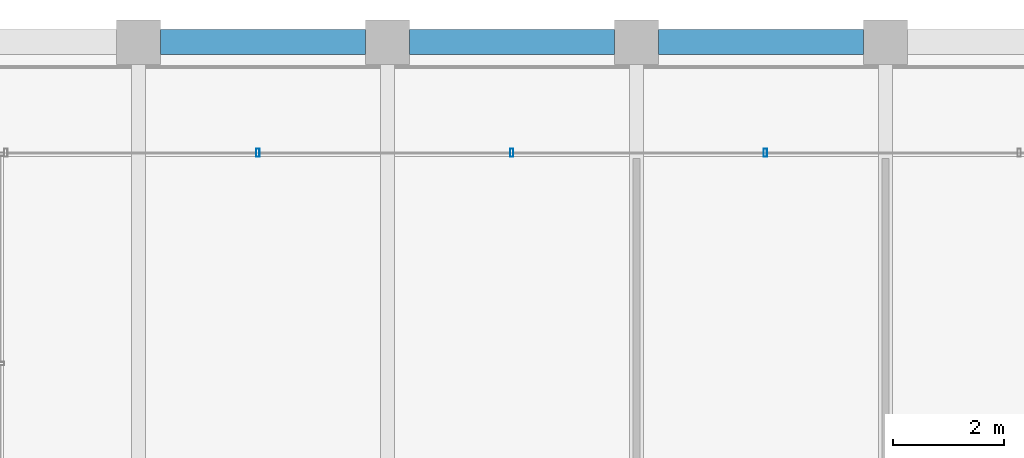
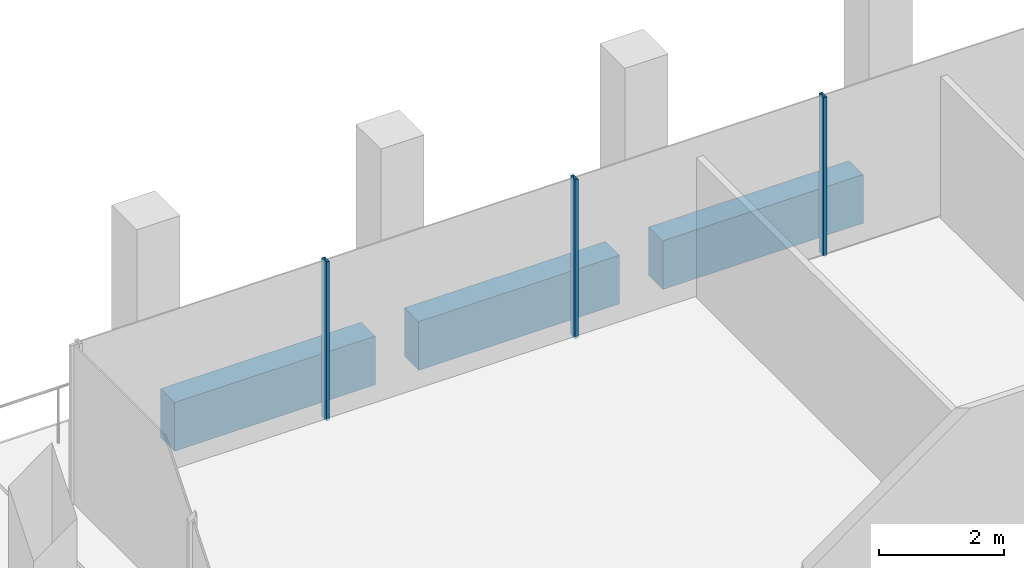
# One storey, part 23 of 40: 3 beams, 3 members, 1 element without a shape of its own.
"""IFC4 building model written with IfcOpenShell, lengths in metres."""

from ifc_helpers import new_model, si_unit, direction, frame, origin, origin_2d, place, context, subcontext, project, spatial, rectangle, hollow_rectangle, extrude, material, material_profile, profile_set, type_object, element, aggregate, save


model = new_model("IFC4")

# Units and contexts
model_context = context("Model", 3, precision=1e-05, world=origin(), true_north=direction((0.0, 1.0)))
body_context = subcontext(model_context, "Body", "Model", "MODEL_VIEW")
ifc_project = project(units=[si_unit("LENGTHUNIT", "METRE"), si_unit("AREAUNIT", "SQUARE_METRE"), si_unit("VOLUMEUNIT", "CUBIC_METRE"), si_unit("PLANEANGLEUNIT", "RADIAN"), si_unit("MASSUNIT", "GRAM", prefix="KILO")], contexts=[model_context])

# Site, building, storey
site_placement = place(None, origin())
site = spatial("IfcSite", under=ifc_project, at=site_placement, CompositionType="ELEMENT")
building_placement = place(site_placement, origin())
building = spatial("IfcBuilding", under=site, at=building_placement, Name="Altepetl Exchange Towers", CompositionType="ELEMENT")
storey_placement = place(building_placement, frame((0.0, 0.0, 199.199951171875)))
storey = spatial("IfcBuildingStorey", under=building, at=storey_placement, Name="L50", CompositionType="ELEMENT", Elevation=199.199951171875)

# Curtain wall, members
ifc_material_1 = material(Name="Aluminium 6063-T6 glazing", Category="aluminium")
curtain_wall_type = type_object("IfcCurtainWallType", Name="Loggia glazing system", PredefinedType="NOTDEFINED", material=ifc_material_1)
curtain_wall_placement = place(storey_placement, origin())
curtain_wall = element("IfcCurtainWall", 1, at=curtain_wall_placement, inside=storey, type_object=curtain_wall_type, Name="CW1 run", PredefinedType="NOTDEFINED")
ifc_material_2 = material(Name="Aluminium 6063-T6", Category="aluminium")
ifc_material_profile_1 = material_profile(ifc_material_2, hollow_rectangle(XDim=0.06005859375, YDim=0.14990234375, WallThickness=0.0029296875, at=origin_2d()), Name="Mullion 60x150 aluminium")
ifc_profile_set_1 = profile_set([ifc_material_profile_1], Name="Aluminium 6063-T6")
member_type = type_object("IfcMemberType", Name="Mullion 60x150 aluminium", PredefinedType="MULLION", material=ifc_profile_set_1)
member_1_placement = place(storey_placement, frame((56.330078125, 70.0, 0.0), z_axis=(0.0, 0.0, 1.0), x_axis=(-1.0, 0.0, 0.0)))
member_1 = element("IfcMember", 2, at=member_1_placement, type_object=member_type, Name="MU1 mullion", PredefinedType="MULLION", context=body_context, shape_type="SweptSolid", body=[
    extrude(hollow_rectangle(XDim=0.06005859375, YDim=0.14990234375, WallThickness=0.0029296875, at=origin_2d()), origin(), (0.0, 0.0, 1.0), 3.10009765625),
])
member_2_placement = place(storey_placement, frame((51.7451171875, 70.0, 0.0), z_axis=(0.0, 0.0, 1.0), x_axis=(-1.0, 0.0, 0.0)))
member_2 = element("IfcMember", 3, at=member_2_placement, type_object=member_type, Name="MU1 mullion", PredefinedType="MULLION", context=body_context, shape_type="SweptSolid", body=[
    extrude(hollow_rectangle(XDim=0.06005859375, YDim=0.14990234375, WallThickness=0.0029296875, at=origin_2d()), origin(), (0.0, 0.0, 1.0), 3.10009765625),
])
member_3_placement = place(storey_placement, frame((47.159912109375, 70.0, 0.0), z_axis=(0.0, 0.0, 1.0), x_axis=(-1.0, 0.0, 0.0)))
member_3 = element("IfcMember", 4, at=member_3_placement, type_object=member_type, Name="MU1 mullion", PredefinedType="MULLION", context=body_context, shape_type="SweptSolid", body=[
    extrude(hollow_rectangle(XDim=0.06005859375, YDim=0.14990234375, WallThickness=0.0029296875, at=origin_2d()), origin(), (0.0, 0.0, 1.0), 3.10009765625),
])
aggregate(curtain_wall, [member_1, member_2, member_3])

# Beams
ifc_material_3 = material(Name="Concrete C50/60 precast with cantera rosa facing", Category="concrete")
ifc_material_profile_2 = material_profile(ifc_material_3, rectangle(XDim=0.449951171875, YDim=0.949951171875, at=origin_2d()), Name="450 x 950")
ifc_profile_set_2 = profile_set([ifc_material_profile_2], Name="Concrete C50/60 precast with cantera rosa facing")
beam_type = type_object("IfcBeamType", Name="Spandrel beam 450x950 cantera rosa", PredefinedType="SPANDREL", material=ifc_profile_set_2)
for number, where, z_axis, x_axis, name in (
    (5, (58.10009765625, 72.0, -0.625), (-1.0, 0.0, 0.0), (0.0, -1.0, 0.0), "sp:A:L50:026"),
    (6, (53.60009765625, 72.0, -0.625), (-1.0, 0.0, 0.0), (0.0, -1.0, 0.0), "sp:A:L50:027"),
    (7, (49.10009765625, 72.0, -0.625), (-1.0, 0.0, 0.0), (0.0, -1.0, 0.0), "sp:A:L50:028"),
):
    element("IfcBeam", number, at=place(storey_placement, frame(where, z_axis=z_axis, x_axis=x_axis)), inside=storey, type_object=beam_type, Name=name, PredefinedType="SPANDREL", context=body_context, shape_type="SweptSolid", body=[
        extrude(rectangle(XDim=0.449951171875, YDim=0.949951171875, at=origin_2d()), origin(), (0.0, 0.0, 1.0), 3.7001953125),
    ])

save(model, "model.ifc")
